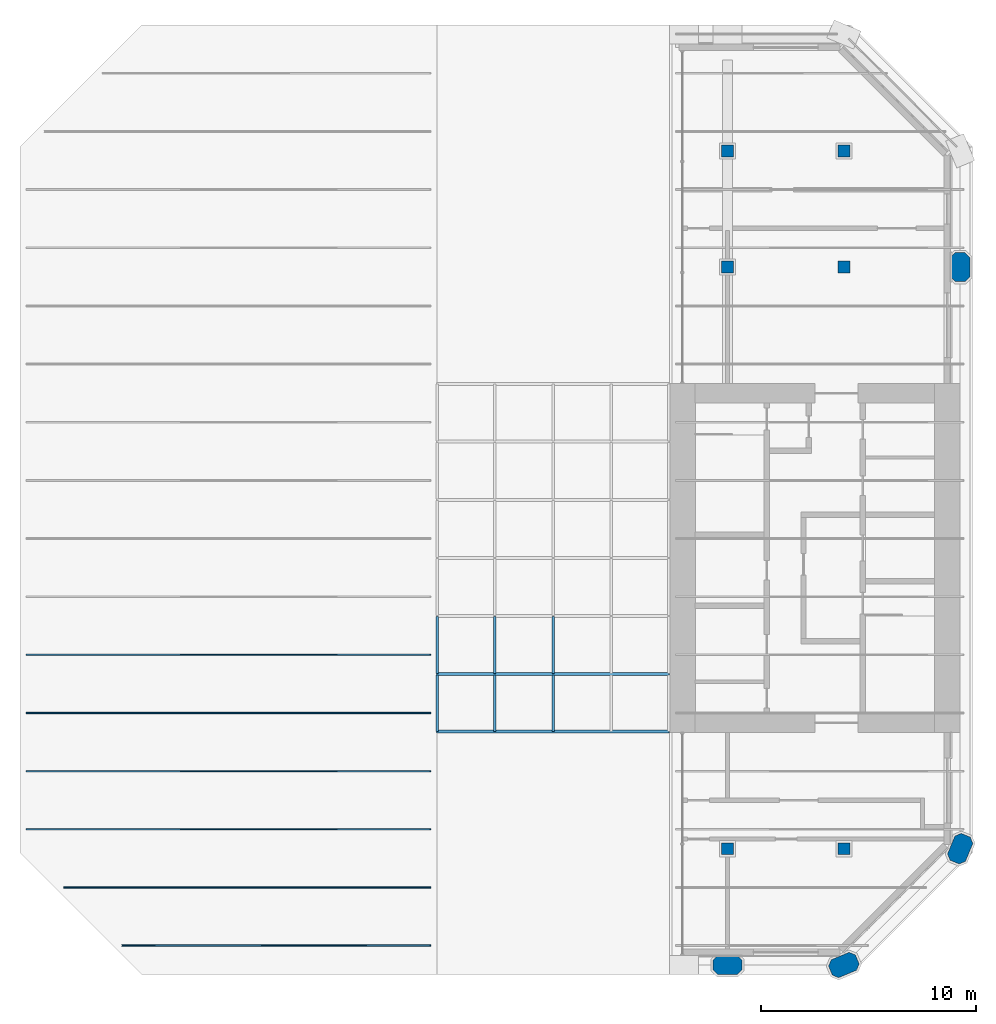
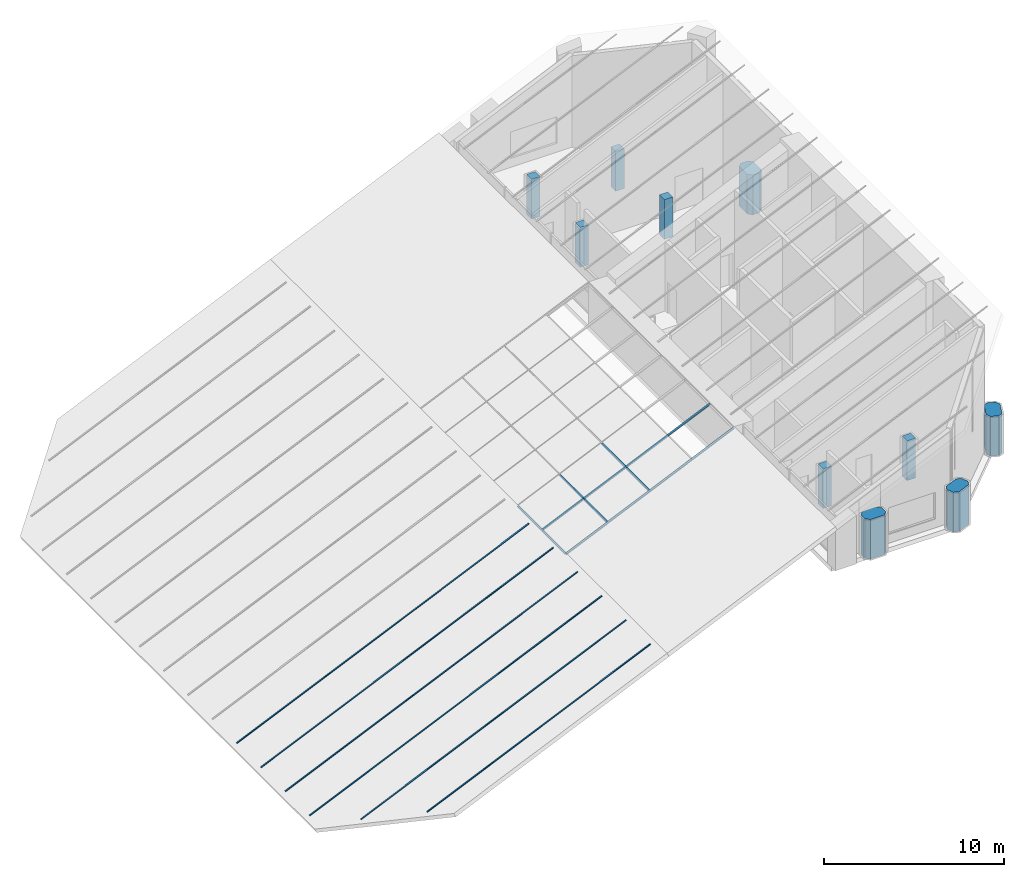
# One storey, part 1 of 10: 14 members, 10 columns, 1 element without a shape of its own.
"""IFC4 building model written with IfcOpenShell, lengths in metres."""

import ifcopenshell
import ifcopenshell.guid

model = None  # the IFC model being written
_history = None  # IfcOwnerHistory: only IFC2X3 demands one
_inside = {}  # id of a spatial element -> (the spatial element, [elements in it])
_under = {}  # id of a project, library or spatial element -> (it, [spatial elements below it])
_declared = {}  # id of a project -> (the project, [libraries it declares])
_typed = {}  # id of a type object -> (the type object, [elements of that type])
_made_of = {}  # id of a material, layer set ... -> (it, [elements and type objects made of it])


def new_model(schema):
    """Start an empty IFC model of exactly this schema.

    Asked for "IFC4X3", IfcOpenShell would pick the latest addendum, in which some entities
    have other attributes; the version numbers below select the first issue.
    IFC2X3 requires an IfcOwnerHistory on every rooted entity: one is made here for all.
    """
    global model, _history
    if schema == "IFC4X3":
        model = ifcopenshell.file(schema_version=(4, 3, 0, 0))
    else:
        model = ifcopenshell.file(schema=schema)
    _inside.clear()
    _under.clear()
    _declared.clear()
    _typed.clear()
    _made_of.clear()
    _history = None
    if model.schema == "IFC2X3":
        org = make("IfcOrganization", Name="unknown")
        user = make(
            "IfcPersonAndOrganization",
            ThePerson=make("IfcPerson", FamilyName="unknown"),
            TheOrganization=org,
        )
        app = make(
            "IfcApplication",
            ApplicationDeveloper=org,
            Version="unknown",
            ApplicationFullName="unknown",
            ApplicationIdentifier="unknown",
        )
        _history = make(
            "IfcOwnerHistory",
            OwningUser=user,
            OwningApplication=app,
            ChangeAction="ADDED",
            CreationDate=0,
        )
    return model


def make(cls, **values):
    """One entity of the class cls with the attributes given. An attribute that is None is left unset."""
    return model.create_entity(
        cls, **{name: value for name, value in values.items() if value is not None}
    )


def rooted(cls, **values):
    """An entity with a GlobalId (a new one), such as an element, a storey or a relation."""
    return make(cls, GlobalId=ifcopenshell.guid.new(), OwnerHistory=_history, **values)


def si_unit(unit_type, name, prefix=None):
    """IfcSIUnit, for example si_unit("LENGTHUNIT", "METRE", prefix="MILLI")."""
    return make("IfcSIUnit", UnitType=unit_type, Prefix=prefix, Name=name)


def assignment(units):
    """IfcUnitAssignment: the units of a project."""
    return None if units is None else make("IfcUnitAssignment", Units=units)


def point(xyz):
    """IfcCartesianPoint."""
    return None if xyz is None else make("IfcCartesianPoint", Coordinates=xyz)


def direction(xyz):
    """IfcDirection."""
    return None if xyz is None else make("IfcDirection", DirectionRatios=xyz)


def frame(location, z_axis=None, x_axis=None):
    """IfcAxis2Placement3D, a coordinate frame: its origin and axes. An axis left out is left unset."""
    return make(
        "IfcAxis2Placement3D",
        Location=point(location),
        Axis=direction(z_axis),
        RefDirection=direction(x_axis),
    )


def frame_2d(location, x_axis=None):
    """IfcAxis2Placement2D, a coordinate frame in the plane: its origin and x axis."""
    return make(
        "IfcAxis2Placement2D", Location=point(location), RefDirection=direction(x_axis)
    )


def origin():
    """The frame at (0, 0, 0) with its axes left unset."""
    return frame((0.0, 0.0, 0.0))


def origin_2d():
    """The frame at (0, 0) in the plane with its x axis left unset."""
    return frame_2d((0.0, 0.0))


def place(relative_to, where):
    """IfcLocalPlacement: puts the frame where relative to a parent placement (None: the world)."""
    return make(
        "IfcLocalPlacement", PlacementRelTo=relative_to, RelativePlacement=where
    )


def context(
    kind, dimensions, precision=None, world=None, true_north=None, identifier=None
):
    """IfcGeometricRepresentationContext, for example the 3D "Model" context."""
    return make(
        "IfcGeometricRepresentationContext",
        ContextIdentifier=identifier,
        ContextType=kind,
        CoordinateSpaceDimension=dimensions,
        Precision=precision,
        WorldCoordinateSystem=world,
        TrueNorth=true_north,
    )


def subcontext(parent, identifier, kind, view, scale=None):
    """IfcGeometricRepresentationSubContext, for example "Body" below "Model"."""
    return make(
        "IfcGeometricRepresentationSubContext",
        ContextIdentifier=identifier,
        ContextType=kind,
        ParentContext=parent,
        TargetScale=scale,
        TargetView=view,
    )


def project(units=None, contexts=None):
    """IfcProject with its units and contexts."""
    return rooted(
        "IfcProject",
        Name="project",
        RepresentationContexts=contexts,
        UnitsInContext=assignment(units),
    )


def spatial(cls, under=None, at=None, **own):
    """A site, building, storey or space (cls), placed at a placement, below another one or the project."""
    s = rooted(cls, ObjectPlacement=at, **own)
    if under is not None:
        _under.setdefault(under.id(), (under, []))[1].append(s)
    return s


def polyline(points):
    """IfcPolyline through the points."""
    return make("IfcPolyline", Points=[point(p) for p in points])


def profile(cls, at=None, kind="AREA", **sizes):
    """A parametric profile (cls). Its sizes go by their IFC names, for example OverallWidth=200.0."""
    return make(cls, ProfileType=kind, Position=at, **sizes)


def rectangle(**sizes):
    """IfcRectangleProfileDef."""
    return profile("IfcRectangleProfileDef", **sizes)


def outline(outer, holes=None, kind="AREA"):
    """IfcArbitraryClosedProfileDef: a profile drawn as a closed curve; with holes, ...WithVoids."""
    if holes is None:
        return make("IfcArbitraryClosedProfileDef", ProfileType=kind, OuterCurve=outer)
    return make(
        "IfcArbitraryProfileDefWithVoids",
        ProfileType=kind,
        OuterCurve=outer,
        InnerCurves=holes,
    )


def extrude(swept, where, along, depth):
    """IfcExtrudedAreaSolid: the profile swept, set in the frame where, extruded along a direction by depth."""
    return make(
        "IfcExtrudedAreaSolid",
        SweptArea=swept,
        Position=where,
        ExtrudedDirection=direction(along),
        Depth=depth,
    )


def shape(context_of_items, identifier, shape_type, items):
    """IfcShapeRepresentation: the items that make up one representation, for example the "Body"."""
    return make(
        "IfcShapeRepresentation",
        ContextOfItems=context_of_items,
        RepresentationIdentifier=identifier,
        RepresentationType=shape_type,
        Items=items,
    )


def material(Name=None, Category=None):
    """IfcMaterial."""
    return make("IfcMaterial", Name=Name, Category=Category)


def material_profile(
    of_material, cross_section, Name=None, Category=None, Priority=None
):
    """IfcMaterialProfile: a cross section and its material."""
    return make(
        "IfcMaterialProfile",
        Name=Name,
        Material=of_material,
        Profile=cross_section,
        Priority=Priority,
        Category=Category,
    )


def profile_set(profiles, Name=None, composite=None):
    """IfcMaterialProfileSet."""
    return make(
        "IfcMaterialProfileSet",
        Name=Name,
        MaterialProfiles=profiles,
        CompositeProfile=composite,
    )


def made_of(thing, what):
    """Note that an element or type object is made of a material, layer set ...; save() writes the relation."""
    if what is not None:
        _made_of.setdefault(what.id(), (what, []))[1].append(thing)
    return thing


def type_object(cls, material=None, **own):
    """A type object (cls), such as IfcWallType, which elements share."""
    return made_of(rooted(cls, **own), material)


def element(
    cls,
    number,
    at=None,
    inside=None,
    cuts=None,
    type_object=None,
    material=None,
    context=None,
    identifier="Body",
    shape_type=None,
    held_by="IfcProductDefinitionShape",
    body=None,
    shapes=None,
    **own,
):
    """One element of the class cls, such as IfcWall. Its Tag is "e" and its number.

    at: its placement. inside: the storey or other place that contains it. cuts: it is an
    opening in that element (IfcRelVoidsElement). A single representation is given by context,
    identifier, shape_type and body (its items); several are given by shapes. held_by: the class
    of the entity that holds the representations. save() writes the other relations.
    """
    e = rooted(cls, Tag="e%d" % number, ObjectPlacement=at, **own)
    if body is not None:
        shapes = [shape(context, identifier, shape_type, body)]
    if shapes is not None:
        e.Representation = make(held_by, Representations=shapes)
    if inside is not None:
        _inside.setdefault(inside.id(), (inside, []))[1].append(e)
    if cuts is not None:
        rooted(
            "IfcRelVoidsElement", RelatingBuildingElement=cuts, RelatedOpeningElement=e
        )
    if type_object is not None:
        _typed.setdefault(type_object.id(), (type_object, []))[1].append(e)
    return made_of(e, material)


def aggregate(whole, parts):
    """IfcRelAggregates: a whole, such as a stair, and the parts it consists of."""
    return rooted("IfcRelAggregates", RelatingObject=whole, RelatedObjects=parts)


def save(model, path):
    """Write the relations noted so far, then the file.

    IfcRelAggregates (storeys below a building ...), IfcRelContainedInSpatialStructure (elements
    in a storey), IfcRelDefinesByType, IfcRelAssociatesMaterial and IfcRelDeclares: one each for
    every whole, place, type object, material and project.
    """
    for whole, parts in _under.values():
        aggregate(whole, parts)
    for where, things in _inside.values():
        rooted(
            "IfcRelContainedInSpatialStructure",
            RelatedElements=things,
            RelatingStructure=where,
        )
    for kind, things in _typed.values():
        rooted("IfcRelDefinesByType", RelatedObjects=things, RelatingType=kind)
    for what, things in _made_of.values():
        rooted("IfcRelAssociatesMaterial", RelatedObjects=things, RelatingMaterial=what)
    for by, libraries in _declared.values():
        rooted("IfcRelDeclares", RelatingContext=by, RelatedDefinitions=libraries)
    model.write(path)


model = new_model("IFC4")

# Units and contexts
model_context = context("Model", 3, precision=1e-05, world=origin(), true_north=direction((0.0, 1.0)))
body_context = subcontext(model_context, "Body", "Model", "MODEL_VIEW")
ifc_project = project(units=[si_unit("LENGTHUNIT", "METRE"), si_unit("AREAUNIT", "SQUARE_METRE"), si_unit("VOLUMEUNIT", "CUBIC_METRE"), si_unit("PLANEANGLEUNIT", "RADIAN"), si_unit("MASSUNIT", "GRAM", prefix="KILO")], contexts=[model_context])

# Site, building, storey
site_placement = place(None, origin())
site = spatial("IfcSite", under=ifc_project, at=site_placement, CompositionType="ELEMENT")
building_placement = place(site_placement, origin())
building = spatial("IfcBuilding", under=site, at=building_placement, Name="Tabaq Tower and Sports Hall", CompositionType="ELEMENT")
storey_placement = place(building_placement, frame((0.0, 0.0, 335.199951171875)))
storey = spatial("IfcBuildingStorey", under=building, at=storey_placement, Name="L83", CompositionType="ELEMENT", Elevation=335.199951171875)

# Columns
ifc_material_1 = material(Name="Concrete C40/50", Category="concrete")
ifc_material_profile_1 = material_profile(ifc_material_1, rectangle(XDim=0.550048828125, YDim=0.550048828125, at=origin_2d()), Name="COLUMN 550x550")
ifc_profile_set_1 = profile_set([ifc_material_profile_1], Name="Concrete C40/50")
column_type_1 = type_object("IfcColumnType", Name="RC COLUMN COLUMN 550x550 C40/50", PredefinedType="COLUMN", material=ifc_profile_set_1)
for number, where, z_axis, x_axis, name in (
    (1, (32.39990234375, 10.800048828125, 0.0), (0.0, 0.0, 1.0), (1.0, 0.0, 0.0), "Column 7/C L83"),
    (2, (37.800048828125, 10.800048828125, 0.0), (0.0, 0.0, 1.0), (1.0, 0.0, 0.0), "Column 8/C L83"),
    (3, (32.39990234375, 37.800048828125, 0.0), (0.0, 0.0, 1.0), (1.0, 0.0, 0.0), "Column 7/H L83"),
    (4, (37.800048828125, 37.800048828125, 0.0), (0.0, 0.0, 1.0), (1.0, 0.0, 0.0), "Column 8/H L83"),
    (5, (32.39990234375, 43.199951171875, 0.0), (0.0, 0.0, 1.0), (1.0, 0.0, 0.0), "Column 7/I L83"),
    (6, (37.800048828125, 43.199951171875, 0.0), (0.0, 0.0, 1.0), (1.0, 0.0, 0.0), "Column 8/I L83"),
):
    element("IfcColumn", number, at=place(storey_placement, frame(where, z_axis=z_axis, x_axis=x_axis)), inside=storey, type_object=column_type_1, Name=name, PredefinedType="COLUMN", context=body_context, shape_type="SweptSolid", body=[
        extrude(rectangle(XDim=0.550048828125, YDim=0.550048828125, at=origin_2d()), origin(), (0.0, 0.0, 1.0), 2.699951171875),
    ])
ifc_material_2 = material(Name="Concrete C40/50", Category="concrete")
ifc_material_profile_2 = material_profile(ifc_material_2, outline(polyline([(-0.449951171875, -0.449951171875), (0.449951171875, -0.449951171875), (0.675048828125, -0.22509765625), (0.675048828125, 0.22509765625), (0.449951171875, 0.449951171875), (-0.449951171875, 0.449951171875), (-0.675048828125, 0.22509765625), (-0.675048828125, -0.22509765625), (-0.449951171875, -0.449951171875)])), Name="PIER 1350x900")
ifc_profile_set_2 = profile_set([ifc_material_profile_2], Name="Concrete C40/50")
column_type_2 = type_object("IfcColumnType", Name="RC COLUMN PIER 1350x900 C40/50", PredefinedType="COLUMN", material=ifc_profile_set_2)
for number, where, z_axis, x_axis, name in (
    (7, (32.39990234375, 5.39990234375, 0.0), (0.0, 0.0, 1.0), (1.0, 0.0, 0.0), "Pier 7/B L83"),
    (8, (37.800048828125, 5.39990234375, 0.0), (0.0, 0.0, 1.0), (0.923879532511, 0.382683432365, 0.0), "Pier 8/B L83"),
    (9, (43.199951171875, 10.800048828125, 0.0), (0.0, 0.0, 1.0), (0.382683432365, 0.923879532511, 0.0), "Pier 9/C L83"),
    (10, (43.199951171875, 37.800048828125, 0.0), (0.0, 0.0, 1.0), (0.0, 1.0, 0.0), "Pier 9/H L83"),
):
    element("IfcColumn", number, at=place(storey_placement, frame(where, z_axis=z_axis, x_axis=x_axis)), inside=storey, type_object=column_type_2, Name=name, PredefinedType="COLUMN", context=body_context, shape_type="SweptSolid", body=[
        extrude(outline(polyline([(-0.449951171875, -0.449951171875), (0.449951171875, -0.449951171875), (0.675048828125, -0.22509765625), (0.675048828125, 0.22509765625), (0.449951171875, 0.449951171875), (-0.449951171875, 0.449951171875), (-0.675048828125, 0.22509765625), (-0.675048828125, -0.22509765625), (-0.449951171875, -0.449951171875)])), origin(), (0.0, 0.0, 1.0), 2.699951171875),
    ])

# Curtain wall, members
ifc_material_3 = material(Name="Aluminium alloy 6063-T6 framed glazing", Category="aluminium")
curtain_wall_type = type_object("IfcCurtainWallType", Name="CW5 curtain wall", PredefinedType="USERDEFINED", material=ifc_material_3)
curtain_wall_placement = place(storey_placement, origin())
curtain_wall = element("IfcCurtainWall", 11, at=curtain_wall_placement, inside=storey, type_object=curtain_wall_type, Name="Atrium rooflight", ObjectType="CROWN GLAZING", PredefinedType="USERDEFINED")
ifc_material_4 = material(Name="Aluminium alloy 6063-T6", Category="aluminium")
ifc_material_profile_3 = material_profile(ifc_material_4, rectangle(XDim=0.139892578125, YDim=0.06005859375, at=origin_2d()), Name="MULLION 140x60")
ifc_profile_set_3 = profile_set([ifc_material_profile_3], Name="Aluminium alloy 6063-T6")
member_type_1 = type_object("IfcMemberType", Name="CW5 mullion 140x60", PredefinedType="MULLION", material=ifc_profile_set_3)
member_1_placement = place(storey_placement, frame((18.89990234375, 16.22998046875, -1.919921875), z_axis=(0.913810696777, 0.0, 0.406140382696), x_axis=(0.0, 1.0, 0.0)))
member_1 = element("IfcMember", 12, at=member_1_placement, type_object=member_type_1, Name="Rooflight mullion 1", PredefinedType="MULLION", context=body_context, shape_type="SweptSolid", body=[
    extrude(rectangle(XDim=0.139892578125, YDim=0.06005859375, at=origin_2d()), origin(), (0.0, 0.0, 1.0), 11.818603515625),
])
member_2_placement = place(storey_placement, frame((18.89990234375, 18.89990234375, -1.919921875), z_axis=(0.913810696777, 0.0, 0.406140382696), x_axis=(0.0, 1.0, 0.0)))
member_2 = element("IfcMember", 13, at=member_2_placement, type_object=member_type_1, Name="Rooflight mullion 2", PredefinedType="MULLION", context=body_context, shape_type="SweptSolid", body=[
    extrude(rectangle(XDim=0.139892578125, YDim=0.06005859375, at=origin_2d()), origin(), (0.0, 0.0, 1.0), 11.818603515625),
])
ifc_material_5 = material(Name="Aluminium alloy 6063-T6", Category="aluminium")
ifc_material_profile_4 = material_profile(ifc_material_5, rectangle(XDim=0.1201171875, YDim=0.06005859375, at=origin_2d()), Name="TRANSOM 120x60")
ifc_profile_set_4 = profile_set([ifc_material_profile_4], Name="Aluminium alloy 6063-T6")
member_type_2 = type_object("IfcMemberType", Name="CW5 transom 120x60", PredefinedType="USERDEFINED", material=ifc_profile_set_4)
member_3_placement = place(storey_placement, frame((18.929931640625, 16.22998046875, -1.91650390625), z_axis=(0.0, 1.0, 0.0), x_axis=(-1.0, 0.0, 0.0)))
member_3 = element("IfcMember", 14, at=member_3_placement, type_object=member_type_2, Name="Rooflight transom 1.1", ObjectType="TRANSOM", PredefinedType="USERDEFINED", context=body_context, shape_type="SweptSolid", body=[
    extrude(rectangle(XDim=0.1201171875, YDim=0.06005859375, at=origin_2d()), origin(), (0.0, 0.0, 1.0), 2.64013671875),
])
member_4_placement = place(storey_placement, frame((18.929931640625, 18.929931640625, -1.91650390625), z_axis=(0.0, 1.0, 0.0), x_axis=(-1.0, 0.0, 0.0)))
member_4 = element("IfcMember", 15, at=member_4_placement, type_object=member_type_2, Name="Rooflight transom 1.2", ObjectType="TRANSOM", PredefinedType="USERDEFINED", context=body_context, shape_type="SweptSolid", body=[
    extrude(rectangle(XDim=0.1201171875, YDim=0.06005859375, at=origin_2d()), origin(), (0.0, 0.0, 1.0), 2.64013671875),
])
member_5_placement = place(storey_placement, frame((21.60009765625, 16.22998046875, -0.72998046875), z_axis=(0.0, 1.0, 0.0), x_axis=(-1.0, 0.0, 0.0)))
member_5 = element("IfcMember", 16, at=member_5_placement, type_object=member_type_2, Name="Rooflight transom 2.1", ObjectType="TRANSOM", PredefinedType="USERDEFINED", context=body_context, shape_type="SweptSolid", body=[
    extrude(rectangle(XDim=0.1201171875, YDim=0.06005859375, at=origin_2d()), origin(), (0.0, 0.0, 1.0), 2.64013671875),
])
member_6_placement = place(storey_placement, frame((21.60009765625, 18.929931640625, -0.72998046875), z_axis=(0.0, 1.0, 0.0), x_axis=(-1.0, 0.0, 0.0)))
member_6 = element("IfcMember", 17, at=member_6_placement, type_object=member_type_2, Name="Rooflight transom 2.2", ObjectType="TRANSOM", PredefinedType="USERDEFINED", context=body_context, shape_type="SweptSolid", body=[
    extrude(rectangle(XDim=0.1201171875, YDim=0.06005859375, at=origin_2d()), origin(), (0.0, 0.0, 1.0), 2.64013671875),
])
member_7_placement = place(storey_placement, frame((24.300048828125, 16.22998046875, 0.469970703125), z_axis=(0.0, 1.0, 0.0), x_axis=(-1.0, 0.0, 0.0)))
member_7 = element("IfcMember", 18, at=member_7_placement, type_object=member_type_2, Name="Rooflight transom 3.1", ObjectType="TRANSOM", PredefinedType="USERDEFINED", context=body_context, shape_type="SweptSolid", body=[
    extrude(rectangle(XDim=0.1201171875, YDim=0.06005859375, at=origin_2d()), origin(), (0.0, 0.0, 1.0), 2.64013671875),
])
member_8_placement = place(storey_placement, frame((24.300048828125, 18.929931640625, 0.469970703125), z_axis=(0.0, 1.0, 0.0), x_axis=(-1.0, 0.0, 0.0)))
member_8 = element("IfcMember", 19, at=member_8_placement, type_object=member_type_2, Name="Rooflight transom 3.2", ObjectType="TRANSOM", PredefinedType="USERDEFINED", context=body_context, shape_type="SweptSolid", body=[
    extrude(rectangle(XDim=0.1201171875, YDim=0.06005859375, at=origin_2d()), origin(), (0.0, 0.0, 1.0), 2.64013671875),
])
aggregate(curtain_wall, [member_1, member_2, member_3, member_4, member_5, member_6, member_7, member_8])

# Members
ifc_material_6 = material(Name="Steel S355", Category="steel")
ifc_material_profile_5 = material_profile(ifc_material_6, rectangle(XDim=0.06005859375, YDim=0.050048828125, at=origin_2d()), Name="FL 60x50")
ifc_profile_set_5 = profile_set([ifc_material_profile_5], Name="Steel S355")
member_type_3 = type_object("IfcMemberType", Name="HALL ROOF SEAM RIB FL 60x50", PredefinedType="STRINGER", material=ifc_profile_set_5)
member_9_placement = place(storey_placement, frame((4.287841796875, 6.300048828125, -8.268798828125), z_axis=(0.91380962021, 0.0, 0.40614280495), x_axis=(0.0, 1.0, 0.0)))
element("IfcMember", 20, at=member_9_placement, inside=storey, type_object=member_type_3, Name="Crown roof seam rib W00", PredefinedType="STRINGER", context=body_context, shape_type="SweptSolid", body=[
    extrude(rectangle(XDim=0.06005859375, YDim=0.050048828125, at=origin_2d()), origin(), (0.0, 0.0, 1.0), 15.662109375),
])
member_10_placement = place(storey_placement, frame((1.587890625, 9.0, -9.46875), z_axis=(0.913810467049, 0.0, 0.40614089958), x_axis=(0.0, 1.0, 0.0)))
element("IfcMember", 21, at=member_10_placement, inside=storey, type_object=member_type_3, Name="Crown roof seam rib W01", PredefinedType="STRINGER", context=body_context, shape_type="SweptSolid", body=[
    extrude(rectangle(XDim=0.06005859375, YDim=0.050048828125, at=origin_2d()), origin(), (0.0, 0.0, 1.0), 18.61669921875),
])
for number, where, z_axis, x_axis, name in (
    (22, (-0.14990234375, 11.699951171875, -10.2412109375), (0.913808604625, 0.0, 0.406145089978), (0.0, 1.0, 0.0), "Crown roof seam rib W02"),
    (23, (-0.14990234375, 14.39990234375, -10.2412109375), (0.913808604625, 0.0, 0.406145089978), (0.0, 1.0, 0.0), "Crown roof seam rib W03"),
    (24, (-0.14990234375, 17.10009765625, -10.2412109375), (0.913808604625, 0.0, 0.406145089978), (0.0, 1.0, 0.0), "Crown roof seam rib W04"),
    (25, (-0.14990234375, 19.800048828125, -10.2412109375), (0.913808604625, 0.0, 0.406145089978), (0.0, 1.0, 0.0), "Crown roof seam rib W05"),
):
    element("IfcMember", number, at=place(storey_placement, frame(where, z_axis=z_axis, x_axis=x_axis)), inside=storey, type_object=member_type_3, Name=name, PredefinedType="STRINGER", context=body_context, shape_type="SweptSolid", body=[
        extrude(rectangle(XDim=0.06005859375, YDim=0.050048828125, at=origin_2d()), origin(), (0.0, 0.0, 1.0), 20.5185546875),
    ])

save(model, "model.ifc")
